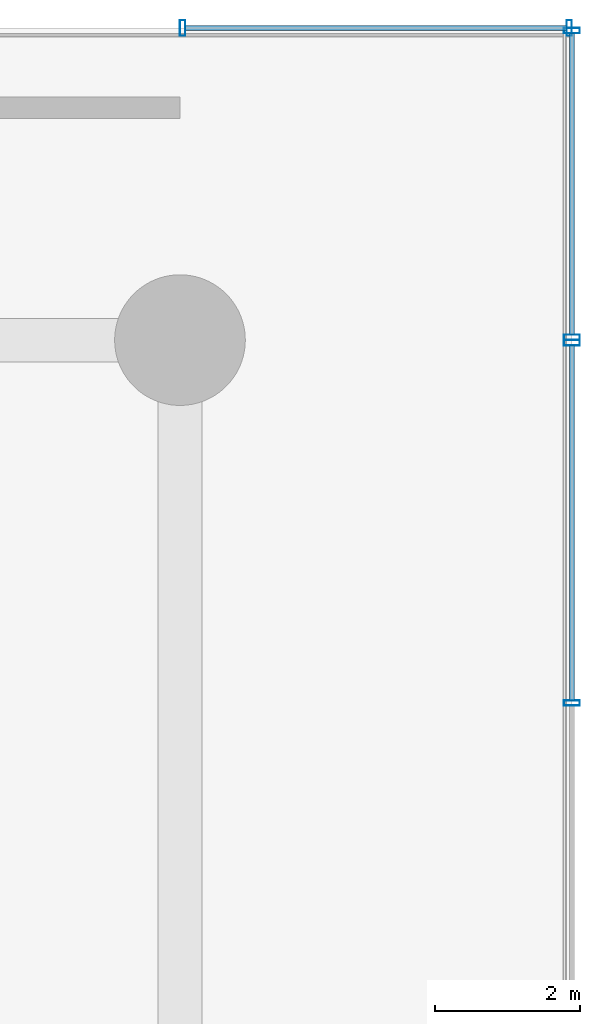
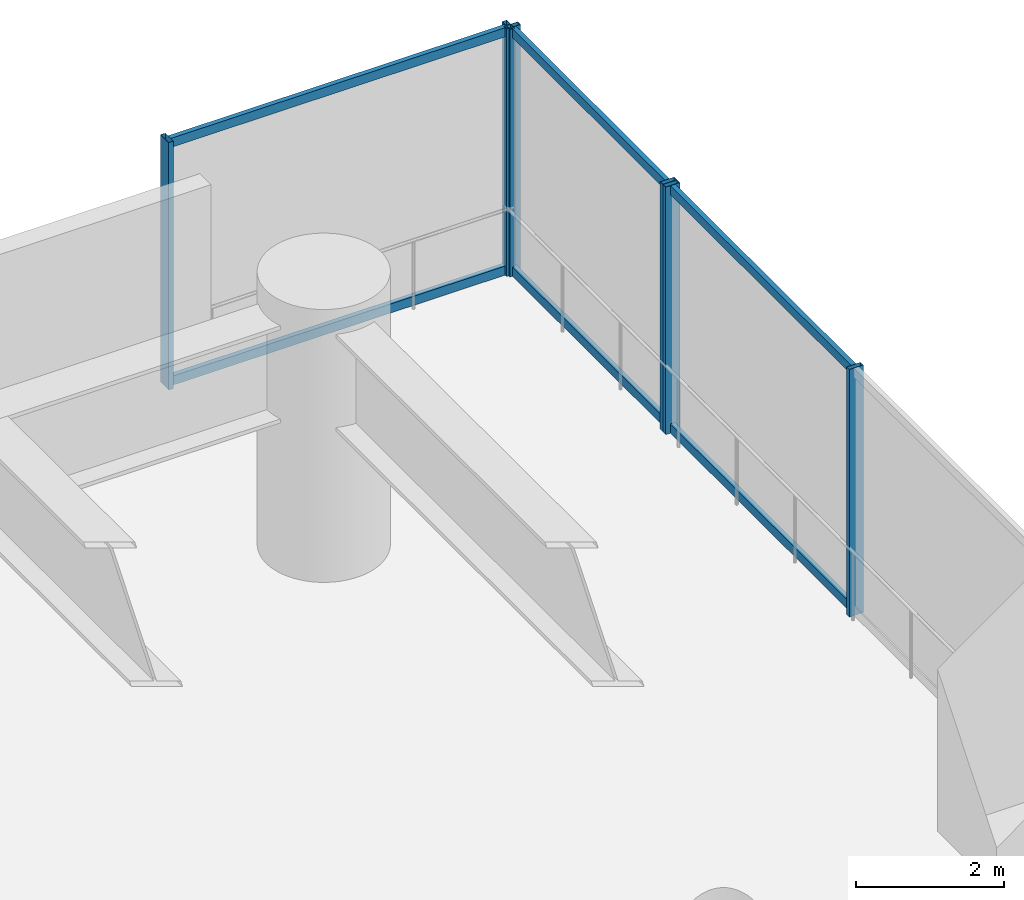
# One storey, part 25 of 37: 12 members, 3 elements without a shape of their own.
"""IFC4 building model written with IfcOpenShell, lengths in metres."""

from ifc_helpers import new_model, si_unit, direction, frame, origin, origin_2d, place, context, subcontext, project, spatial, hollow_rectangle, extrude, material, layer, layer_set, material_profile, profile_set, type_object, element, aggregate, save


model = new_model("IFC4")

# Units and contexts
model_context = context("Model", 3, precision=1e-05, world=origin(), true_north=direction((0.0, 1.0)))
body_context = subcontext(model_context, "Body", "Model", "MODEL_VIEW")
ifc_project = project(units=[si_unit("LENGTHUNIT", "METRE"), si_unit("AREAUNIT", "SQUARE_METRE"), si_unit("VOLUMEUNIT", "CUBIC_METRE"), si_unit("PLANEANGLEUNIT", "RADIAN"), si_unit("MASSUNIT", "GRAM", prefix="KILO")], contexts=[model_context])

# Site, building, storey
site_placement = place(None, origin())
site = spatial("IfcSite", under=ifc_project, at=site_placement, CompositionType="ELEMENT")
building_placement = place(site_placement, origin())
building = spatial("IfcBuilding", under=site, at=building_placement, Name="Surkhivell Harbour Commons", CompositionType="ELEMENT")
storey_placement = place(building_placement, frame((0.0, 0.0, 18.0)))
storey = spatial("IfcBuildingStorey", under=building, at=storey_placement, Name="L04", CompositionType="ELEMENT", Elevation=18.0)

# Curtain wall, members
ifc_material_1 = material(Name="Anodised pale-metal aluminium and insulated glazing", Category="aluminium")
ifc_layer = layer(ifc_material_1, 0.239990234375)
ifc_layer_set = layer_set([ifc_layer], Name="Anodised pale-metal aluminium and insulated glazing")
curtain_wall_type = type_object("IfcCurtainWallType", Name="CW-SYS-POD", PredefinedType="NOTDEFINED", material=ifc_layer_set)
curtain_wall_1_placement = place(storey_placement, origin())
curtain_wall_1 = element("IfcCurtainWall", 1, at=curtain_wall_1_placement, inside=storey, type_object=curtain_wall_type, Name="L04 Curtain Wall CW-L04-N8", PredefinedType="NOTDEFINED")
ifc_material_2 = material(Name="Anodised pale-metal aluminium alloy 6063-T6", Category="aluminium")
ifc_material_profile_1 = material_profile(ifc_material_2, hollow_rectangle(XDim=0.074951171875, YDim=0.219970703125, WallThickness=0.00390625, at=origin_2d()), Name="ALU-MULL-75x220")
ifc_profile_set_1 = profile_set([ifc_material_profile_1], Name="Anodised pale-metal aluminium alloy 6063-T6")
member_type_1 = type_object("IfcMemberType", Name="CWM-220", PredefinedType="MULLION", material=ifc_profile_set_1)
member_1_placement = place(storey_placement, frame((32.4375, 25.89990234375, 0.0), z_axis=(0.0, 0.0, 1.0), x_axis=(1.0, 0.0, 0.0)))
member_1 = element("IfcMember", 2, at=member_1_placement, type_object=member_type_1, Name="CW-POD mullion 1", PredefinedType="MULLION", context=body_context, shape_type="SweptSolid", body=[
    extrude(hollow_rectangle(XDim=0.074951171875, YDim=0.219970703125, WallThickness=0.00390625, at=origin_2d()), origin(), (0.0, 0.0, 1.0), 4.080078125),
])
member_2_placement = place(storey_placement, frame((37.762451171875, 25.89990234375, 0.0), z_axis=(0.0, 0.0, 1.0), x_axis=(1.0, 0.0, 0.0)))
member_2 = element("IfcMember", 3, at=member_2_placement, type_object=member_type_1, Name="CW-POD mullion 2", PredefinedType="MULLION", context=body_context, shape_type="SweptSolid", body=[
    extrude(hollow_rectangle(XDim=0.074951171875, YDim=0.219970703125, WallThickness=0.00390625, at=origin_2d()), origin(), (0.0, 0.0, 1.0), 4.080078125),
])

curtain_wall_2_placement = place(storey_placement, origin())
curtain_wall_2 = element("IfcCurtainWall", 4, at=curtain_wall_2_placement, inside=storey, type_object=curtain_wall_type, Name="L04 Curtain Wall CW-L04-E5", PredefinedType="NOTDEFINED")
member_3_placement = place(storey_placement, frame((37.800048828125, 21.5625, 0.0), z_axis=(0.0, 0.0, 1.0), x_axis=(0.0, -1.0, 0.0)))
member_3 = element("IfcMember", 5, at=member_3_placement, type_object=member_type_1, Name="CW-POD mullion 1", PredefinedType="MULLION", context=body_context, shape_type="SweptSolid", body=[
    extrude(hollow_rectangle(XDim=0.074951171875, YDim=0.219970703125, WallThickness=0.00390625, at=origin_2d()), origin(), (0.0, 0.0, 1.0), 4.080078125),
])
member_4_placement = place(storey_placement, frame((37.800048828125, 16.60107421875, 0.0), z_axis=(0.0, 0.0, 1.0), x_axis=(0.0, -1.0, 0.0)))
member_4 = element("IfcMember", 6, at=member_4_placement, type_object=member_type_1, Name="CW-POD mullion 2", PredefinedType="MULLION", context=body_context, shape_type="SweptSolid", body=[
    extrude(hollow_rectangle(XDim=0.074951171875, YDim=0.219970703125, WallThickness=0.00390625, at=origin_2d()), origin(), (0.0, 0.0, 1.0), 4.080078125),
])

curtain_wall_3_placement = place(storey_placement, origin())
curtain_wall_3 = element("IfcCurtainWall", 7, at=curtain_wall_3_placement, inside=storey, type_object=curtain_wall_type, Name="L04 Curtain Wall CW-L04-E6", PredefinedType="NOTDEFINED")
member_5_placement = place(storey_placement, frame((37.800048828125, 25.862548828125, 0.0), z_axis=(0.0, 0.0, 1.0), x_axis=(0.0, -1.0, 0.0)))
member_5 = element("IfcMember", 8, at=member_5_placement, type_object=member_type_1, Name="CW-POD mullion 1", PredefinedType="MULLION", context=body_context, shape_type="SweptSolid", body=[
    extrude(hollow_rectangle(XDim=0.074951171875, YDim=0.219970703125, WallThickness=0.00390625, at=origin_2d()), origin(), (0.0, 0.0, 1.0), 4.080078125),
])
member_6_placement = place(storey_placement, frame((37.800048828125, 21.637451171875, 0.0), z_axis=(0.0, 0.0, 1.0), x_axis=(0.0, -1.0, 0.0)))
member_6 = element("IfcMember", 9, at=member_6_placement, type_object=member_type_1, Name="CW-POD mullion 2", PredefinedType="MULLION", context=body_context, shape_type="SweptSolid", body=[
    extrude(hollow_rectangle(XDim=0.074951171875, YDim=0.219970703125, WallThickness=0.00390625, at=origin_2d()), origin(), (0.0, 0.0, 1.0), 4.080078125),
])

# Member
ifc_material_profile_2 = material_profile(ifc_material_2, hollow_rectangle(XDim=0.074951171875, YDim=0.14990234375, WallThickness=0.00341796875, at=origin_2d()), Name="ALU-TRAN-75x150")
ifc_profile_set_2 = profile_set([ifc_material_profile_2], Name="Anodised pale-metal aluminium alloy 6063-T6")
member_type_2 = type_object("IfcMemberType", Name="CWT-150", PredefinedType="USERDEFINED", material=ifc_profile_set_2)
member_7_placement = place(storey_placement, frame((32.47509765625, 25.89990234375, 0.074951171875), z_axis=(1.0, 0.0, 0.0), x_axis=(0.0, 1.0, 0.0)))
member_7 = element("IfcMember", 10, at=member_7_placement, type_object=member_type_2, Name="CW-POD transom 1.1", ObjectType="TRANSOM", PredefinedType="USERDEFINED", context=body_context, shape_type="SweptSolid", body=[
    extrude(hollow_rectangle(XDim=0.074951171875, YDim=0.14990234375, WallThickness=0.00341796875, at=origin_2d()), origin(), (0.0, 0.0, 1.0), 5.25),
])

member_8_placement = place(storey_placement, frame((32.47509765625, 25.89990234375, 4.0048828125), z_axis=(1.0, 0.0, 0.0), x_axis=(0.0, 1.0, 0.0)))
member_8 = element("IfcMember", 11, at=member_8_placement, type_object=member_type_2, Name="CW-POD transom 1.2", ObjectType="TRANSOM", PredefinedType="USERDEFINED", context=body_context, shape_type="SweptSolid", body=[
    extrude(hollow_rectangle(XDim=0.074951171875, YDim=0.14990234375, WallThickness=0.00341796875, at=origin_2d()), origin(), (0.0, 0.0, 1.0), 5.25),
])

aggregate(curtain_wall_1, [member_1, member_2, member_7, member_8])

member_9_placement = place(storey_placement, frame((37.800048828125, 21.52490234375, 0.074951171875), z_axis=(0.0, -1.0, 0.0), x_axis=(1.0, 0.0, 0.0)))
member_9 = element("IfcMember", 12, at=member_9_placement, type_object=member_type_2, Name="CW-POD transom 1.1", ObjectType="TRANSOM", PredefinedType="USERDEFINED", context=body_context, shape_type="SweptSolid", body=[
    extrude(hollow_rectangle(XDim=0.074951171875, YDim=0.14990234375, WallThickness=0.00341796875, at=origin_2d()), origin(), (0.0, 0.0, 1.0), 4.886474609375),
])

member_10_placement = place(storey_placement, frame((37.800048828125, 21.52490234375, 4.0048828125), z_axis=(0.0, -1.0, 0.0), x_axis=(1.0, 0.0, 0.0)))
member_10 = element("IfcMember", 13, at=member_10_placement, type_object=member_type_2, Name="CW-POD transom 1.2", ObjectType="TRANSOM", PredefinedType="USERDEFINED", context=body_context, shape_type="SweptSolid", body=[
    extrude(hollow_rectangle(XDim=0.074951171875, YDim=0.14990234375, WallThickness=0.00341796875, at=origin_2d()), origin(), (0.0, 0.0, 1.0), 4.886474609375),
])

aggregate(curtain_wall_2, [member_3, member_4, member_9, member_10])

member_11_placement = place(storey_placement, frame((37.800048828125, 25.824951171875, 0.074951171875), z_axis=(0.0, -1.0, 0.0), x_axis=(1.0, 0.0, 0.0)))
member_11 = element("IfcMember", 14, at=member_11_placement, type_object=member_type_2, Name="CW-POD transom 1.1", ObjectType="TRANSOM", PredefinedType="USERDEFINED", context=body_context, shape_type="SweptSolid", body=[
    extrude(hollow_rectangle(XDim=0.074951171875, YDim=0.14990234375, WallThickness=0.00341796875, at=origin_2d()), origin(), (0.0, 0.0, 1.0), 4.14990234375),
])

member_12_placement = place(storey_placement, frame((37.800048828125, 25.824951171875, 4.0048828125), z_axis=(0.0, -1.0, 0.0), x_axis=(1.0, 0.0, 0.0)))
member_12 = element("IfcMember", 15, at=member_12_placement, type_object=member_type_2, Name="CW-POD transom 1.2", ObjectType="TRANSOM", PredefinedType="USERDEFINED", context=body_context, shape_type="SweptSolid", body=[
    extrude(hollow_rectangle(XDim=0.074951171875, YDim=0.14990234375, WallThickness=0.00341796875, at=origin_2d()), origin(), (0.0, 0.0, 1.0), 4.14990234375),
])

aggregate(curtain_wall_3, [member_5, member_6, member_11, member_12])

save(model, "model.ifc")
